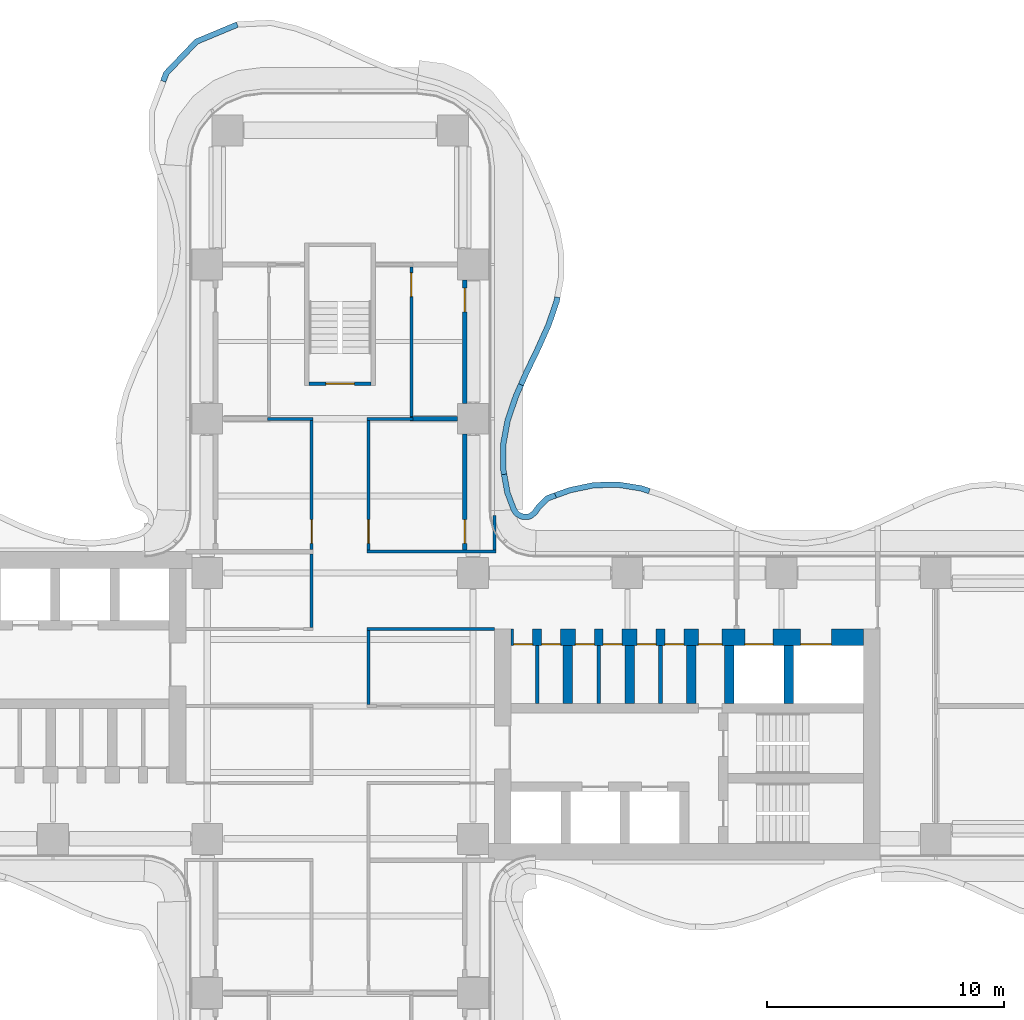
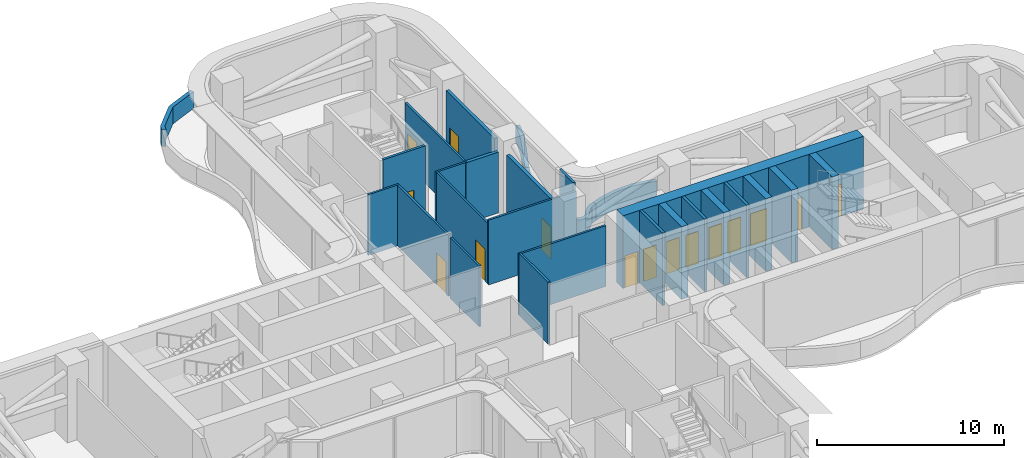
# One storey, part 16 of 20: 28 walls, 15 doors, 15 openings.
"""IFC4 building model written with IfcOpenShell, lengths in metres."""

from ifc_helpers import new_model, si_unit, direction, frame, frame_2d, origin, place, context, subcontext, project, spatial, polyline, rectangle, outline, extrude, source, transform, mapped, material, layer, layer_set, type_object, element, fill, save


model = new_model("IFC4")

# Units and contexts
model_context = context("Model", 3, precision=1e-05, world=origin(), true_north=direction((0.0, 1.0)))
body_context = subcontext(model_context, "Body", "Model", "MODEL_VIEW")
ifc_project = project(units=[si_unit("LENGTHUNIT", "METRE"), si_unit("AREAUNIT", "SQUARE_METRE"), si_unit("VOLUMEUNIT", "CUBIC_METRE"), si_unit("PLANEANGLEUNIT", "RADIAN"), si_unit("MASSUNIT", "GRAM", prefix="KILO")], contexts=[model_context])

# Site, building, storey
site_placement = place(None, origin())
site = spatial("IfcSite", under=ifc_project, at=site_placement, CompositionType="ELEMENT")
building_placement = place(site_placement, origin())
building = spatial("IfcBuilding", under=site, at=building_placement, Name="Trellis Farm Tower", CompositionType="ELEMENT")
storey_placement = place(building_placement, frame((0.0, 0.0, 92.5)))
storey = spatial("IfcBuildingStorey", under=building, at=storey_placement, Name="L19", CompositionType="ELEMENT", Elevation=92.5)

# Walls
ifc_material_1 = material(Name="Sandstone faced insulated wall", Category="masonry")
ifc_layer_1 = layer(ifc_material_1, 0.22509765625)
ifc_layer_set_1 = layer_set([ifc_layer_1], Name="PARAPET WALL 225")
wall_type_1 = type_object("IfcWallType", Name="PARAPET WALL 225", PredefinedType="PARAPET", material=ifc_layer_set_1)
placement = place(storey_placement, origin())
element("IfcWall", 1, at=placement, inside=storey, type_object=wall_type_1, Name="Parapet", PredefinedType="PARAPET", context=body_context, shape_type="SweptSolid", body=[
    extrude(outline(polyline([(-7.564208984375, 26.361572265625), (-7.4453125, 26.676513671875), (-7.410400390625, 26.73779296875), (-6.13623046875, 28.070556640625), (-6.07470703125, 28.10888671875), (-4.37548828125, 28.818115234375), (-4.284912109375, 28.6005859375), (-5.9794921875, 27.89306640625), (-7.2177734375, 26.6025390625), (-7.34228515625, 26.276611328125), (-7.564208984375, 26.361572265625)])), origin(), (0.0, 0.0, 1.0), 1.10009765625),
])
element("IfcWall", 2, at=placement, inside=storey, type_object=wall_type_1, Name="Parapet", PredefinedType="PARAPET", context=body_context, shape_type="SweptSolid", body=[
    extrude(outline(polyline([(9.273193359375, 17.19921875), (9.241943359375, 17.03271484375), (8.896728515625, 16.025146484375), (8.447509765625, 15.018310546875), (7.96240234375, 14.012939453125), (7.728271484375, 13.488037109375), (7.513916015625, 13.58349609375), (7.747802734375, 14.1083984375), (8.233154296875, 15.11474609375), (8.67626953125, 16.106689453125), (9.01123046875, 17.079833984375), (9.042236328125, 17.2431640625), (9.273193359375, 17.19921875)])), origin(), (0.0, 0.0, 1.0), 1.10009765625),
])
element("IfcWall", 3, at=placement, inside=storey, type_object=wall_type_1, Name="Parapet", PredefinedType="PARAPET", context=body_context, shape_type="SweptSolid", body=[
    extrude(outline(polyline([(7.728271484375, 13.488037109375), (7.527099609375, 13.037353515625), (7.17138671875, 11.99462890625), (6.987548828125, 10.9912109375), (6.986083984375, 9.99609375), (7.026123046875, 9.7763671875), (6.796875, 9.735595703125), (6.75, 9.998779296875), (6.755615234375, 11.035888671875), (6.94873046875, 12.072509765625), (7.303955078125, 13.112548828125), (7.513916015625, 13.58349609375), (7.728271484375, 13.488037109375)])), origin(), (0.0, 0.0, 1.0), 1.10009765625),
])
element("IfcWall", 4, at=placement, inside=storey, type_object=wall_type_1, Name="Parapet", PredefinedType="PARAPET", context=body_context, shape_type="SweptSolid", body=[
    extrude(outline(polyline([(7.026123046875, 9.7763671875), (7.167724609375, 9.000732421875), (7.42578125, 8.32666015625), (7.504150390625, 8.206298828125), (7.5263671875, 8.185302734375), (7.63671875, 8.1201171875), (7.71533203125, 8.0927734375), (7.921630859375, 8.091796875), (7.962646484375, 8.106201171875), (8.108154296875, 8.219970703125), (8.255615234375, 8.42724609375), (8.656982421875, 8.834716796875), (8.726318359375, 8.87451171875), (9.03271484375, 8.984130859375), (9.1142578125, 8.76025390625), (8.79541015625, 8.644287109375), (8.431396484375, 8.27099609375), (8.30712890625, 8.088623046875), (8.267333984375, 8.0458984375), (8.076904296875, 7.897216796875), (7.96337890625, 7.857421875), (7.721435546875, 7.854248046875), (7.661376953125, 7.86328125), (7.566162109375, 7.89404296875), (7.3837890625, 7.99658203125), (7.323486328125, 8.053955078125), (7.211181640625, 8.23046875), (6.934814453125, 8.960693359375), (6.796875, 9.735595703125), (7.026123046875, 9.7763671875)])), origin(), (0.0, 0.0, 1.0), 1.10009765625),
])
element("IfcWall", 5, at=placement, inside=storey, type_object=wall_type_1, Name="Parapet", PredefinedType="PARAPET", context=body_context, shape_type="SweptSolid", body=[
    extrude(outline(polyline([(9.03271484375, 8.984130859375), (9.6494140625, 9.20458984375), (10.66796875, 9.41748046875), (11.697998046875, 9.444091796875), (12.690673828125, 9.285400390625), (13.068603515625, 9.16552734375), (12.997802734375, 8.941650390625), (12.6279296875, 9.058837890625), (11.672119140625, 9.210205078125), (10.68505859375, 9.182861328125), (9.720947265625, 8.980712890625), (9.1142578125, 8.76025390625), (9.03271484375, 8.984130859375)])), origin(), (0.0, 0.0, 1.0), 1.10009765625),
])
ifc_material_2 = material(Name="Plasterboard on steel studs, mineral wool", Category="steel")
ifc_layer_2 = layer(ifc_material_2, 0.125)
ifc_layer_set_2 = layer_set([ifc_layer_2], Name="PARTITION 125 STUD EI 60")
wall_type_2 = type_object("IfcWallType", Name="PARTITION 125 STUD EI 60", PredefinedType="PARTITIONING", material=ifc_layer_set_2)
wall_6_placement = place(storey_placement, frame((-1.199951171875, 6.39990234375, 0.0), z_axis=(0.0, 0.0, 1.0), x_axis=(0.0, -1.0, 0.0)))
element("IfcWall", 6, at=wall_6_placement, inside=storey, type_object=wall_type_2, Name="Partition PW1", PredefinedType="PARTITIONING", context=body_context, shape_type="SweptSolid", body=[
    extrude(rectangle(XDim=3.08740234375, YDim=0.125, at=frame_2d((1.543701171875, 0.0))), origin(), (0.0, 0.0, 1.0), 3.9677734375),
])

# Wall, opening, door
wall_7_placement = place(storey_placement, frame((-1.199951171875, 6.60009765625, 0.0), z_axis=(0.0, 0.0, 1.0), x_axis=(0.0, 1.0, 0.0)))
wall_7 = element("IfcWall", 7, at=wall_7_placement, inside=storey, type_object=wall_type_2, Name="Partition PW1", PredefinedType="PARTITIONING", context=body_context, shape_type="SweptSolid", body=[
    extrude(rectangle(XDim=5.4375, YDim=0.125, at=frame_2d((2.71875, 0.0))), origin(), (0.0, 0.0, 1.0), 3.9677734375),
])
shared_shape_1 = source(origin(), body_context, "Body", "SweptSolid", [
    extrude(rectangle(XDim=1.0, YDim=2.10009765625, at=frame_2d((0.5, 1.050048828125))), frame((0.0, 0.072509765625, 0.0), z_axis=(0.0, -1.0, 0.0), x_axis=(1.0, 0.0, 0.0)), (0.0, 0.0, 1.0), 0.14501953125),
])
opening_1_placement = place(wall_7_placement, frame((0.25, 0.0, 0.0)))
opening_1 = element("IfcOpeningElement", 8, at=opening_1_placement, cuts=wall_7, Name="Opening D309", PredefinedType="OPENING", context=body_context, shape_type="MappedRepresentation", body=[
    mapped(shared_shape_1, transform((0.0, 0.0, 0.0))),
])
ifc_material_3 = material(Name="Fire-rated timber door leaf in a hollow metal frame", Category="wood")
door_type_1 = type_object("IfcDoorType", Name="DOOR 1000x2100 FD60", OperationType="NOTDEFINED", PredefinedType="DOOR", material=ifc_material_3)
shared_shape_2 = source(origin(), body_context, "Body", "SweptSolid", [
    extrude(rectangle(XDim=1.0, YDim=2.10009765625, at=frame_2d((0.5, 1.050048828125))), frame((0.0, 0.02490234375, 0.0), z_axis=(0.0, -1.0, 0.0), x_axis=(1.0, 0.0, 0.0)), (0.0, 0.0, 1.0), 0.050048828125),
])
door_1_placement = place(opening_1_placement, origin())
door_1 = element("IfcDoor", 9, at=door_1_placement, inside=storey, type_object=door_type_1, Name="Door D309", OperationType="SINGLE_SWING_LEFT", OverallHeight=2.10009765625, OverallWidth=1.0, PredefinedType="DOOR", context=body_context, shape_type="MappedRepresentation", body=[
    mapped(shared_shape_2, transform((0.0, 0.0, 0.0))),
])
fill(opening_1, door_1)

# Walls
ifc_material_4 = material(Name="Concrete C80/95", Category="concrete")
ifc_layer_3 = layer(ifc_material_4, 0.39990234375)
ifc_layer_set_3 = layer_set([ifc_layer_3], Name="CORE INNER WALL 400 CONCRETE C80/95")
wall_type_3 = type_object("IfcWallType", Name="CORE INNER WALL 400 CONCRETE C80/95", PredefinedType="SHEAR", material=ifc_layer_set_3)
shared_shape_3 = source(origin(), body_context, "Body", "SweptSolid", [
    extrude(rectangle(XDim=2.449951171875, YDim=0.39990234375, at=frame_2d((1.22509765625, 0.0))), origin(), (0.0, 0.0, 1.0), 4.75),
])
for number, where, z_axis, x_axis, name in (
    (10, (9.60009765625, 0.10009765625, 0.0), (0.0, 0.0, 1.0), (0.0, 1.0, 0.0), "Core wall"),
    (11, (12.199951171875, 0.10009765625, 0.0), (0.0, 0.0, 1.0), (0.0, 1.0, 0.0), "Core wall"),
    (12, (14.800048828125, 0.10009765625, 0.0), (0.0, 0.0, 1.0), (0.0, 1.0, 0.0), "Core wall"),
    (13, (16.39990234375, 0.10009765625, 0.0), (0.0, 0.0, 1.0), (0.0, 1.0, 0.0), "Core wall"),
    (14, (18.89990234375, 0.10009765625, 0.0), (0.0, 0.0, 1.0), (0.0, 1.0, 0.0), "Core wall"),
):
    element("IfcWall", number, at=place(storey_placement, frame(where, z_axis=z_axis, x_axis=x_axis)), inside=storey, type_object=wall_type_3, Name=name, PredefinedType="SHEAR", context=body_context, shape_type="MappedRepresentation", body=[
        mapped(shared_shape_3, transform((0.0, 0.0, 0.0))),
    ])
ifc_material_5 = material(Name="Masonry blockwork", Category="masonry")
ifc_layer_4 = layer(ifc_material_5, 0.14990234375)
ifc_layer_set_4 = layer_set([ifc_layer_4], Name="CORE PARTITION 150 BLOCKWORK")
wall_type_4 = type_object("IfcWallType", Name="CORE PARTITION 150 BLOCKWORK", PredefinedType="PARTITIONING", material=ifc_layer_set_4)
shared_shape_4 = source(origin(), body_context, "Body", "SweptSolid", [
    extrude(rectangle(XDim=2.449951171875, YDim=0.14990234375, at=frame_2d((1.22509765625, 0.0))), origin(), (0.0, 0.0, 1.0), 4.75),
])
for number, where, z_axis, x_axis, name in (
    (15, (8.300048828125, 0.10009765625, 0.0), (0.0, 0.0, 1.0), (0.0, 1.0, 0.0), "Core room partition"),
    (16, (10.89990234375, 0.10009765625, 0.0), (0.0, 0.0, 1.0), (0.0, 1.0, 0.0), "Core room partition"),
    (17, (13.5, 0.10009765625, 0.0), (0.0, 0.0, 1.0), (0.0, 1.0, 0.0), "Core room partition"),
):
    element("IfcWall", number, at=place(storey_placement, frame(where, z_axis=z_axis, x_axis=x_axis)), inside=storey, type_object=wall_type_4, Name=name, PredefinedType="PARTITIONING", context=body_context, shape_type="MappedRepresentation", body=[
        mapped(shared_shape_4, transform((0.0, 0.0, 0.0))),
    ])

# Wall, openings, doors
ifc_layer_5 = layer(ifc_material_4, 0.699951171875)
ifc_layer_set_5 = layer_set([ifc_layer_5], Name="CORE OUTER WALL 700 CONCRETE C80/95")
wall_type_5 = type_object("IfcWallType", Name="CORE OUTER WALL 700 CONCRETE C80/95", PredefinedType="SHEAR", material=ifc_layer_set_5)
shared_shape_5 = source(origin(), body_context, "Body", "SweptSolid", [
    extrude(rectangle(XDim=14.85009765625, YDim=0.699951171875, at=frame_2d((7.425048828125, 0.0))), origin(), (0.0, 0.0, 1.0), 4.75),
])
wall_8_placement = place(storey_placement, frame((7.199951171875, 2.89990234375, 0.0), z_axis=(0.0, 0.0, 1.0), x_axis=(1.0, 0.0, 0.0)))
wall_8 = element("IfcWall", 18, at=wall_8_placement, inside=storey, type_object=wall_type_5, Name="Core wall", PredefinedType="SHEAR", context=body_context, shape_type="MappedRepresentation", body=[
    mapped(shared_shape_5, transform((0.0, 0.0, 0.0))),
])
shared_shape_6 = source(origin(), body_context, "Body", "SweptSolid", [
    extrude(rectangle(XDim=1.300048828125, YDim=2.10009765625, at=frame_2d((0.64990234375, 1.050048828125))), frame((0.0, 0.360107421875, 0.0), z_axis=(0.0, -1.0, 0.0), x_axis=(1.0, 0.0, 0.0)), (0.0, 0.0, 1.0), 0.72021484375),
])
opening_2_placement = place(wall_8_placement, frame((12.199951171875, 0.0, 0.0)))
opening_2 = element("IfcOpeningElement", 19, at=opening_2_placement, cuts=wall_8, Name="Opening LD7", PredefinedType="OPENING", context=body_context, shape_type="MappedRepresentation", body=[
    mapped(shared_shape_6, transform((0.0, 0.0, 0.0))),
])
shared_shape_7 = source(origin(), body_context, "Body", "SweptSolid", [
    extrude(rectangle(XDim=1.199951171875, YDim=2.10009765625, at=frame_2d((0.60009765625, 1.050048828125))), frame((0.0, 0.360107421875, 0.0), z_axis=(0.0, -1.0, 0.0), x_axis=(1.0, 0.0, 0.0)), (0.0, 0.0, 1.0), 0.72021484375),
])
opening_3_placement = place(wall_8_placement, frame((9.85009765625, 0.0, 0.0)))
opening_3 = element("IfcOpeningElement", 20, at=opening_3_placement, cuts=wall_8, Name="Opening LD8", PredefinedType="OPENING", context=body_context, shape_type="MappedRepresentation", body=[
    mapped(shared_shape_7, transform((0.0, 0.0, 0.0))),
])
shared_shape_8 = source(origin(), body_context, "Body", "SweptSolid", [
    extrude(rectangle(XDim=1.0, YDim=2.10009765625, at=frame_2d((0.5, 1.050048828125))), frame((0.0, 0.360107421875, 0.0), z_axis=(0.0, -1.0, 0.0), x_axis=(1.0, 0.0, 0.0)), (0.0, 0.0, 1.0), 0.72021484375),
])
opening_4_placement = place(wall_8_placement, frame((7.89990234375, 0.0, 0.0)))
opening_4 = element("IfcOpeningElement", 21, at=opening_4_placement, cuts=wall_8, Name="Opening DC6", PredefinedType="OPENING", context=body_context, shape_type="MappedRepresentation", body=[
    mapped(shared_shape_8, transform((0.0, 0.0, 0.0))),
])
shared_shape_9 = source(origin(), body_context, "Body", "SweptSolid", [
    extrude(rectangle(XDim=0.800048828125, YDim=2.10009765625, at=frame_2d((0.39990234375, 1.050048828125))), frame((0.0, 0.360107421875, 0.0), z_axis=(0.0, -1.0, 0.0), x_axis=(1.0, 0.0, 0.0)), (0.0, 0.0, 1.0), 0.72021484375),
])
opening_5_placement = place(wall_8_placement, frame((0.112548828125, 0.0, 0.0)))
opening_5 = element("IfcOpeningElement", 22, at=opening_5_placement, cuts=wall_8, Name="Opening DC9", PredefinedType="OPENING", context=body_context, shape_type="MappedRepresentation", body=[
    mapped(shared_shape_9, transform((0.0, 0.0, 0.0))),
])
opening_6_placement = place(wall_8_placement, frame((1.28759765625, 0.0, 0.0)))
opening_6 = element("IfcOpeningElement", 23, at=opening_6_placement, cuts=wall_8, Name="Opening DC16", PredefinedType="OPENING", context=body_context, shape_type="MappedRepresentation", body=[
    mapped(shared_shape_9, transform((0.0, 0.0, 0.0))),
])
opening_7_placement = place(wall_8_placement, frame((2.71240234375, 0.0, 0.0)))
opening_7 = element("IfcOpeningElement", 24, at=opening_7_placement, cuts=wall_8, Name="Opening DC21", PredefinedType="OPENING", context=body_context, shape_type="MappedRepresentation", body=[
    mapped(shared_shape_9, transform((0.0, 0.0, 0.0))),
])
opening_8_placement = place(wall_8_placement, frame((3.887451171875, 0.0, 0.0)))
opening_8 = element("IfcOpeningElement", 25, at=opening_8_placement, cuts=wall_8, Name="Opening DC28", PredefinedType="OPENING", context=body_context, shape_type="MappedRepresentation", body=[
    mapped(shared_shape_9, transform((0.0, 0.0, 0.0))),
])
opening_9_placement = place(wall_8_placement, frame((5.3125, 0.0, 0.0)))
opening_9 = element("IfcOpeningElement", 26, at=opening_9_placement, cuts=wall_8, Name="Opening DC33", PredefinedType="OPENING", context=body_context, shape_type="MappedRepresentation", body=[
    mapped(shared_shape_9, transform((0.0, 0.0, 0.0))),
])
opening_10_placement = place(wall_8_placement, frame((6.487548828125, 0.0, 0.0)))
opening_10 = element("IfcOpeningElement", 27, at=opening_10_placement, cuts=wall_8, Name="Opening DC40", PredefinedType="OPENING", context=body_context, shape_type="MappedRepresentation", body=[
    mapped(shared_shape_9, transform((0.0, 0.0, 0.0))),
])
ifc_material_6 = material(Name="Steel", Category="steel")
door_type_2 = type_object("IfcDoorType", Name="CORE FIRE DOOR 1000 X 2100", OperationType="NOTDEFINED", PredefinedType="DOOR", material=ifc_material_6)
shared_shape_10 = source(origin(), body_context, "Body", "SweptSolid", [
    extrude(rectangle(XDim=1.0, YDim=2.10009765625, at=frame_2d((0.5, 1.050048828125))), frame((0.0, -0.27490234375, 0.0), z_axis=(0.0, -1.0, 0.0), x_axis=(1.0, 0.0, 0.0)), (0.0, 0.0, 1.0), 0.050048828125),
])
door_2_placement = place(opening_4_placement, origin())
door_2 = element("IfcDoor", 28, at=door_2_placement, inside=storey, type_object=door_type_2, Name="Core door", OperationType="SINGLE_SWING_LEFT", OverallHeight=2.10009765625, OverallWidth=1.0, PredefinedType="DOOR", context=body_context, shape_type="MappedRepresentation", body=[
    mapped(shared_shape_10, transform((0.0, 0.0, 0.0))),
])
fill(opening_4, door_2)
ifc_material_7 = material(Name="Stainless steel", Category="steel")
door_type_3 = type_object("IfcDoorType", Name="LIFT LANDING DOOR 1300 X 2100", OperationType="DOUBLE_DOOR_SLIDING", PredefinedType="DOOR", material=ifc_material_7)
shared_shape_11 = source(origin(), body_context, "Body", "SweptSolid", [
    extrude(rectangle(XDim=1.300048828125, YDim=2.10009765625, at=frame_2d((0.64990234375, 1.050048828125))), frame((0.0, -0.27490234375, 0.0), z_axis=(0.0, -1.0, 0.0), x_axis=(1.0, 0.0, 0.0)), (0.0, 0.0, 1.0), 0.050048828125),
])
door_3_placement = place(opening_2_placement, origin())
door_3 = element("IfcDoor", 29, at=door_3_placement, inside=storey, type_object=door_type_3, Name="Lift landing door", OperationType="DOUBLE_DOOR_SLIDING", OverallHeight=2.10009765625, OverallWidth=1.300048828125, PredefinedType="DOOR", context=body_context, shape_type="MappedRepresentation", body=[
    mapped(shared_shape_11, transform((0.0, 0.0, 0.0))),
])
fill(opening_2, door_3)
door_type_4 = type_object("IfcDoorType", Name="LIFT LANDING DOOR 1200 X 2100", OperationType="DOUBLE_DOOR_SLIDING", PredefinedType="DOOR", material=ifc_material_7)
shared_shape_12 = source(origin(), body_context, "Body", "SweptSolid", [
    extrude(rectangle(XDim=1.199951171875, YDim=2.10009765625, at=frame_2d((0.60009765625, 1.050048828125))), frame((0.0, -0.27490234375, 0.0), z_axis=(0.0, -1.0, 0.0), x_axis=(1.0, 0.0, 0.0)), (0.0, 0.0, 1.0), 0.050048828125),
])
door_4_placement = place(opening_3_placement, origin())
door_4 = element("IfcDoor", 30, at=door_4_placement, inside=storey, type_object=door_type_4, Name="Lift landing door", OperationType="DOUBLE_DOOR_SLIDING", OverallHeight=2.10009765625, OverallWidth=1.199951171875, PredefinedType="DOOR", context=body_context, shape_type="MappedRepresentation", body=[
    mapped(shared_shape_12, transform((0.0, 0.0, 0.0))),
])
fill(opening_3, door_4)
door_type_5 = type_object("IfcDoorType", Name="CORE FIRE DOOR 800 X 2100", OperationType="NOTDEFINED", PredefinedType="DOOR", material=ifc_material_6)
shared_shape_13 = source(origin(), body_context, "Body", "SweptSolid", [
    extrude(rectangle(XDim=0.800048828125, YDim=2.10009765625, at=frame_2d((0.39990234375, 1.050048828125))), frame((0.0, -0.27490234375, 0.0), z_axis=(0.0, -1.0, 0.0), x_axis=(1.0, 0.0, 0.0)), (0.0, 0.0, 1.0), 0.050048828125),
])
door_5_placement = place(opening_5_placement, origin())
door_5 = element("IfcDoor", 31, at=door_5_placement, inside=storey, type_object=door_type_5, Name="Core door", OperationType="SINGLE_SWING_LEFT", OverallHeight=2.10009765625, OverallWidth=0.800048828125, PredefinedType="DOOR", context=body_context, shape_type="MappedRepresentation", body=[
    mapped(shared_shape_13, transform((0.0, 0.0, 0.0))),
])
fill(opening_5, door_5)
door_6_placement = place(opening_6_placement, origin())
door_6 = element("IfcDoor", 32, at=door_6_placement, inside=storey, type_object=door_type_5, Name="Core door", OperationType="SINGLE_SWING_RIGHT", OverallHeight=2.10009765625, OverallWidth=0.800048828125, PredefinedType="DOOR", context=body_context, shape_type="MappedRepresentation", body=[
    mapped(shared_shape_13, transform((0.0, 0.0, 0.0))),
])
fill(opening_6, door_6)
door_7_placement = place(opening_7_placement, origin())
door_7 = element("IfcDoor", 33, at=door_7_placement, inside=storey, type_object=door_type_5, Name="Core door", OperationType="SINGLE_SWING_LEFT", OverallHeight=2.10009765625, OverallWidth=0.800048828125, PredefinedType="DOOR", context=body_context, shape_type="MappedRepresentation", body=[
    mapped(shared_shape_13, transform((0.0, 0.0, 0.0))),
])
fill(opening_7, door_7)
door_8_placement = place(opening_8_placement, origin())
door_8 = element("IfcDoor", 34, at=door_8_placement, inside=storey, type_object=door_type_5, Name="Core door", OperationType="SINGLE_SWING_RIGHT", OverallHeight=2.10009765625, OverallWidth=0.800048828125, PredefinedType="DOOR", context=body_context, shape_type="MappedRepresentation", body=[
    mapped(shared_shape_13, transform((0.0, 0.0, 0.0))),
])
fill(opening_8, door_8)
door_9_placement = place(opening_9_placement, origin())
door_9 = element("IfcDoor", 35, at=door_9_placement, inside=storey, type_object=door_type_5, Name="Core door", OperationType="SINGLE_SWING_LEFT", OverallHeight=2.10009765625, OverallWidth=0.800048828125, PredefinedType="DOOR", context=body_context, shape_type="MappedRepresentation", body=[
    mapped(shared_shape_13, transform((0.0, 0.0, 0.0))),
])
fill(opening_9, door_9)
door_10_placement = place(opening_10_placement, origin())
door_10 = element("IfcDoor", 36, at=door_10_placement, inside=storey, type_object=door_type_5, Name="Core door", OperationType="SINGLE_SWING_RIGHT", OverallHeight=2.10009765625, OverallWidth=0.800048828125, PredefinedType="DOOR", context=body_context, shape_type="MappedRepresentation", body=[
    mapped(shared_shape_13, transform((0.0, 0.0, 0.0))),
])
fill(opening_10, door_10)

# Wall, opening, door
ifc_layer_6 = layer(ifc_material_4, 0.14990234375)
ifc_layer_set_6 = layer_set([ifc_layer_6], Name="CORE STAIR ENCLOSURE WALL 150 CONCRETE C80/95")
wall_type_6 = type_object("IfcWallType", Name="CORE STAIR ENCLOSURE WALL 150 CONCRETE C80/95", PredefinedType="SHEAR", material=ifc_layer_set_6)
shared_shape_14 = source(origin(), body_context, "Body", "SweptSolid", [
    extrude(rectangle(XDim=2.60009765625, YDim=0.14990234375, at=frame_2d((1.300048828125, 0.0))), origin(), (0.0, 0.0, 1.0), 4.75),
])
wall_9_placement = place(storey_placement, frame((-1.300048828125, 13.574951171875, 0.0), z_axis=(0.0, 0.0, 1.0), x_axis=(1.0, 0.0, 0.0)))
wall_9 = element("IfcWall", 37, at=wall_9_placement, inside=storey, type_object=wall_type_6, Name="Stair enclosure wall", PredefinedType="SHEAR", context=body_context, shape_type="MappedRepresentation", body=[
    mapped(shared_shape_14, transform((0.0, 0.0, 0.0))),
])
shared_shape_15 = source(origin(), body_context, "Body", "SweptSolid", [
    extrude(rectangle(XDim=1.199951171875, YDim=2.10009765625, at=frame_2d((0.60009765625, 1.050048828125))), frame((0.0, 0.0849609375, 0.0), z_axis=(0.0, -1.0, 0.0), x_axis=(1.0, 0.0, 0.0)), (0.0, 0.0, 1.0), 0.169921875),
])
opening_11_placement = place(wall_9_placement, frame((0.699951171875, 0.0, 0.0)))
opening_11 = element("IfcOpeningElement", 38, at=opening_11_placement, cuts=wall_9, Name="Opening DC173", PredefinedType="OPENING", context=body_context, shape_type="MappedRepresentation", body=[
    mapped(shared_shape_15, transform((0.0, 0.0, 0.0))),
])
door_type_6 = type_object("IfcDoorType", Name="CORE FIRE DOOR 1200 X 2100", OperationType="NOTDEFINED", PredefinedType="DOOR", material=ifc_material_6)
shared_shape_16 = source(origin(), body_context, "Body", "SweptSolid", [
    extrude(rectangle(XDim=1.199951171875, YDim=2.10009765625, at=frame_2d((0.60009765625, 1.050048828125))), frame((0.0, 0.02490234375, 0.0), z_axis=(0.0, -1.0, 0.0), x_axis=(1.0, 0.0, 0.0)), (0.0, 0.0, 1.0), 0.050048828125),
])
door_11_placement = place(opening_11_placement, origin())
door_11 = element("IfcDoor", 39, at=door_11_placement, inside=storey, type_object=door_type_6, Name="Core door", OperationType="SINGLE_SWING_LEFT", OverallHeight=2.10009765625, OverallWidth=1.199951171875, PredefinedType="DOOR", context=body_context, shape_type="MappedRepresentation", body=[
    mapped(shared_shape_16, transform((0.0, 0.0, 0.0))),
])
fill(opening_11, door_11)

ifc_material_8 = material(Name="Lightweight blockwork, plastered", Category="masonry")
ifc_layer_7 = layer(ifc_material_8, 0.199951171875)
ifc_layer_set_7 = layer_set([ifc_layer_7], Name="BLOCK WALL 200 EI 120")
wall_type_7 = type_object("IfcWallType", Name="BLOCK WALL 200 EI 120", PredefinedType="PARTITIONING", material=ifc_layer_set_7)
shared_shape_17 = source(origin(), body_context, "Body", "SweptSolid", [
    extrude(rectangle(XDim=5.199951171875, YDim=0.199951171875, at=frame_2d((2.60009765625, 0.0))), origin(), (0.0, 0.0, 1.0), 4.323486328125),
])
wall_10_placement = place(storey_placement, frame((5.25, 12.75, 0.0), z_axis=(0.0, 0.0, 1.0), x_axis=(0.0, 1.0, 0.0)))
wall_10 = element("IfcWall", 40, at=wall_10_placement, inside=storey, type_object=wall_type_7, Name="Partition PW3", PredefinedType="PARTITIONING", context=body_context, shape_type="MappedRepresentation", body=[
    mapped(shared_shape_17, transform((0.0, 0.0, 0.0))),
])
shared_shape_18 = source(origin(), body_context, "Body", "SweptSolid", [
    extrude(rectangle(XDim=1.0, YDim=2.10009765625, at=frame_2d((0.5, 1.050048828125))), frame((0.0, 0.110107421875, 0.0), z_axis=(0.0, -1.0, 0.0), x_axis=(1.0, 0.0, 0.0)), (0.0, 0.0, 1.0), 0.22021484375),
])
opening_12_placement = place(wall_10_placement, frame((3.85009765625, 0.0, 0.0)))
opening_12 = element("IfcOpeningElement", 41, at=opening_12_placement, cuts=wall_10, Name="Opening D111", PredefinedType="OPENING", context=body_context, shape_type="MappedRepresentation", body=[
    mapped(shared_shape_18, transform((0.0, 0.0, 0.0))),
])
door_type_7 = type_object("IfcDoorType", Name="DOOR 1000x2100 FD30S", OperationType="NOTDEFINED", PredefinedType="DOOR", material=ifc_material_3)
door_12_placement = place(opening_12_placement, origin())
door_12 = element("IfcDoor", 42, at=door_12_placement, inside=storey, type_object=door_type_7, Name="Door D111", OperationType="SINGLE_SWING_RIGHT", OverallHeight=2.10009765625, OverallWidth=1.0, PredefinedType="DOOR", context=body_context, shape_type="MappedRepresentation", body=[
    mapped(shared_shape_2, transform((0.0, 0.0, 0.0))),
])
fill(opening_12, door_12)

shared_shape_19 = source(origin(), body_context, "Body", "SweptSolid", [
    extrude(rectangle(XDim=6.300048828125, YDim=0.125, at=frame_2d((3.14990234375, 0.0))), origin(), (0.0, 0.0, 1.0), 3.9677734375),
])
wall_11_placement = place(storey_placement, frame((3.0, 18.5, 0.0), z_axis=(0.0, 0.0, 1.0), x_axis=(0.0, -1.0, 0.0)))
wall_11 = element("IfcWall", 43, at=wall_11_placement, inside=storey, type_object=wall_type_2, Name="Partition PW1", PredefinedType="PARTITIONING", context=body_context, shape_type="MappedRepresentation", body=[
    mapped(shared_shape_19, transform((0.0, 0.0, 0.0))),
])
opening_13_placement = place(wall_11_placement, frame((0.25, 0.0, 0.0)))
opening_13 = element("IfcOpeningElement", 44, at=opening_13_placement, cuts=wall_11, Name="Opening D312", PredefinedType="OPENING", context=body_context, shape_type="MappedRepresentation", body=[
    mapped(shared_shape_1, transform((0.0, 0.0, 0.0))),
])
door_13_placement = place(opening_13_placement, origin())
door_13 = element("IfcDoor", 45, at=door_13_placement, inside=storey, type_object=door_type_1, Name="Door D312", OperationType="SINGLE_SWING_LEFT", OverallHeight=2.10009765625, OverallWidth=1.0, PredefinedType="DOOR", context=body_context, shape_type="MappedRepresentation", body=[
    mapped(shared_shape_2, transform((0.0, 0.0, 0.0))),
])
fill(opening_13, door_13)

# Wall
shared_shape_20 = source(origin(), body_context, "Body", "SweptSolid", [
    extrude(rectangle(XDim=3.125, YDim=0.125, at=frame_2d((1.5625, 0.0))), origin(), (0.0, 0.0, 1.0), 4.04638671875),
])
wall_12_placement = place(storey_placement, frame((1.199951171875, 3.1875, 0.0), z_axis=(0.0, 0.0, 1.0), x_axis=(0.0, -1.0, 0.0)))
element("IfcWall", 46, at=wall_12_placement, inside=storey, type_object=wall_type_2, Name="Partition PW1", PredefinedType="PARTITIONING", context=body_context, shape_type="MappedRepresentation", body=[
    mapped(shared_shape_20, transform((0.0, 0.0, 0.0))),
])

# Wall, opening, door
shared_shape_21 = source(origin(), body_context, "Body", "SweptSolid", [
    extrude(rectangle(XDim=5.47509765625, YDim=0.125, at=frame_2d((2.737548828125, 0.0))), origin(), (0.0, 0.0, 1.0), 3.9677734375),
])
wall_13_placement = place(storey_placement, frame((1.199951171875, 12.03759765625, 0.0), z_axis=(0.0, 0.0, 1.0), x_axis=(0.0, -1.0, 0.0)))
wall_13 = element("IfcWall", 47, at=wall_13_placement, inside=storey, type_object=wall_type_2, Name="Partition PW1", PredefinedType="PARTITIONING", context=body_context, shape_type="MappedRepresentation", body=[
    mapped(shared_shape_21, transform((0.0, 0.0, 0.0))),
])
opening_14_placement = place(wall_13_placement, frame((4.1875, 0.0, 0.0)))
opening_14 = element("IfcOpeningElement", 48, at=opening_14_placement, cuts=wall_13, Name="Opening D310", PredefinedType="OPENING", context=body_context, shape_type="MappedRepresentation", body=[
    mapped(shared_shape_1, transform((0.0, 0.0, 0.0))),
])
door_14_placement = place(opening_14_placement, origin())
door_14 = element("IfcDoor", 49, at=door_14_placement, inside=storey, type_object=door_type_1, Name="Door D310", OperationType="SINGLE_SWING_RIGHT", OverallHeight=2.10009765625, OverallWidth=1.0, PredefinedType="DOOR", context=body_context, shape_type="MappedRepresentation", body=[
    mapped(shared_shape_2, transform((0.0, 0.0, 0.0))),
])
fill(opening_14, door_14)

shared_shape_22 = source(origin(), body_context, "Body", "SweptSolid", [
    extrude(rectangle(XDim=4.887451171875, YDim=0.199951171875, at=frame_2d((2.44384765625, 0.0))), origin(), (0.0, 0.0, 1.0), 4.04638671875),
])
wall_14_placement = place(storey_placement, frame((5.25, 6.5625, 0.0), z_axis=(0.0, 0.0, 1.0), x_axis=(0.0, 1.0, 0.0)))
wall_14 = element("IfcWall", 50, at=wall_14_placement, inside=storey, type_object=wall_type_7, Name="Partition PW3", PredefinedType="PARTITIONING", context=body_context, shape_type="MappedRepresentation", body=[
    mapped(shared_shape_22, transform((0.0, 0.0, 0.0))),
])
opening_15_placement = place(wall_14_placement, frame((0.28759765625, 0.0, 0.0)))
opening_15 = element("IfcOpeningElement", 51, at=opening_15_placement, cuts=wall_14, Name="Opening D109", PredefinedType="OPENING", context=body_context, shape_type="MappedRepresentation", body=[
    mapped(shared_shape_18, transform((0.0, 0.0, 0.0))),
])
door_15_placement = place(opening_15_placement, origin())
door_15 = element("IfcDoor", 52, at=door_15_placement, inside=storey, type_object=door_type_7, Name="Door D109", OperationType="SINGLE_SWING_LEFT", OverallHeight=2.10009765625, OverallWidth=1.0, PredefinedType="DOOR", context=body_context, shape_type="MappedRepresentation", body=[
    mapped(shared_shape_2, transform((0.0, 0.0, 0.0))),
])
fill(opening_15, door_15)

# Walls
shared_shape_23 = source(origin(), body_context, "Body", "SweptSolid", [
    extrude(rectangle(XDim=1.468994140625, YDim=0.125, at=frame_2d((0.734375, 0.0))), origin(), (0.0, 0.0, 1.0), 4.75),
])
wall_15_placement = place(storey_placement, frame((6.5, 6.5625, 0.0), z_axis=(0.0, 0.0, 1.0), x_axis=(0.0, 1.0, 0.0)))
element("IfcWall", 53, at=wall_15_placement, inside=storey, type_object=wall_type_2, Name="Partition PW1", PredefinedType="PARTITIONING", context=body_context, shape_type="MappedRepresentation", body=[
    mapped(shared_shape_23, transform((0.0, 0.0, 0.0))),
])
shared_shape_24 = source(origin(), body_context, "Body", "SweptSolid", [
    extrude(rectangle(XDim=2.012451171875, YDim=0.199951171875, at=frame_2d((1.00634765625, 0.0))), origin(), (0.0, 0.0, 1.0), 3.9677734375),
])
wall_16_placement = place(storey_placement, frame((2.9375, 12.10009765625, 0.0), z_axis=(0.0, 0.0, 1.0), x_axis=(1.0, 0.0, 0.0)))
element("IfcWall", 54, at=wall_16_placement, inside=storey, type_object=wall_type_7, Name="Partition PW3", PredefinedType="PARTITIONING", context=body_context, shape_type="MappedRepresentation", body=[
    mapped(shared_shape_24, transform((0.0, 0.0, 0.0))),
])
shared_shape_25 = source(origin(), body_context, "Body", "SweptSolid", [
    extrude(rectangle(XDim=1.925048828125, YDim=0.125, at=frame_2d((0.96240234375, 0.0))), origin(), (0.0, 0.0, 1.0), 3.9677734375),
])
for number, where, z_axis, x_axis, name in (
    (55, (-1.137451171875, 12.10009765625, 0.0), (0.0, 0.0, 1.0), (-1.0, 0.0, 0.0), "Partition PW1"),
    (56, (3.0625, 12.10009765625, 0.0), (0.0, 0.0, 1.0), (-1.0, 0.0, 0.0), "Partition PW1"),
):
    element("IfcWall", number, at=place(storey_placement, frame(where, z_axis=z_axis, x_axis=x_axis)), inside=storey, type_object=wall_type_2, Name=name, PredefinedType="PARTITIONING", context=body_context, shape_type="MappedRepresentation", body=[
        mapped(shared_shape_25, transform((0.0, 0.0, 0.0))),
    ])
shared_shape_26 = source(origin(), body_context, "Body", "SweptSolid", [
    extrude(rectangle(XDim=5.362548828125, YDim=0.125, at=frame_2d((2.68115234375, 0.0))), origin(), (0.0, 0.0, 1.0), 3.9677734375),
])
wall_17_placement = place(storey_placement, frame((1.137451171875, 3.25, 0.0), z_axis=(0.0, 0.0, 1.0), x_axis=(1.0, 0.0, 0.0)))
element("IfcWall", 57, at=wall_17_placement, inside=storey, type_object=wall_type_2, Name="Partition PW1", PredefinedType="PARTITIONING", context=body_context, shape_type="MappedRepresentation", body=[
    mapped(shared_shape_26, transform((0.0, 0.0, 0.0))),
])
shared_shape_27 = source(origin(), body_context, "Body", "SweptSolid", [
    extrude(rectangle(XDim=5.425048828125, YDim=0.125, at=frame_2d((2.71240234375, 0.0))), origin(), (0.0, 0.0, 1.0), 4.22998046875),
])
wall_18_placement = place(storey_placement, frame((1.137451171875, 6.5, 0.0), z_axis=(0.0, 0.0, 1.0), x_axis=(1.0, 0.0, 0.0)))
element("IfcWall", 58, at=wall_18_placement, inside=storey, type_object=wall_type_2, Name="Partition PW1", PredefinedType="PARTITIONING", context=body_context, shape_type="MappedRepresentation", body=[
    mapped(shared_shape_27, transform((0.0, 0.0, 0.0))),
])

save(model, "model.ifc")
